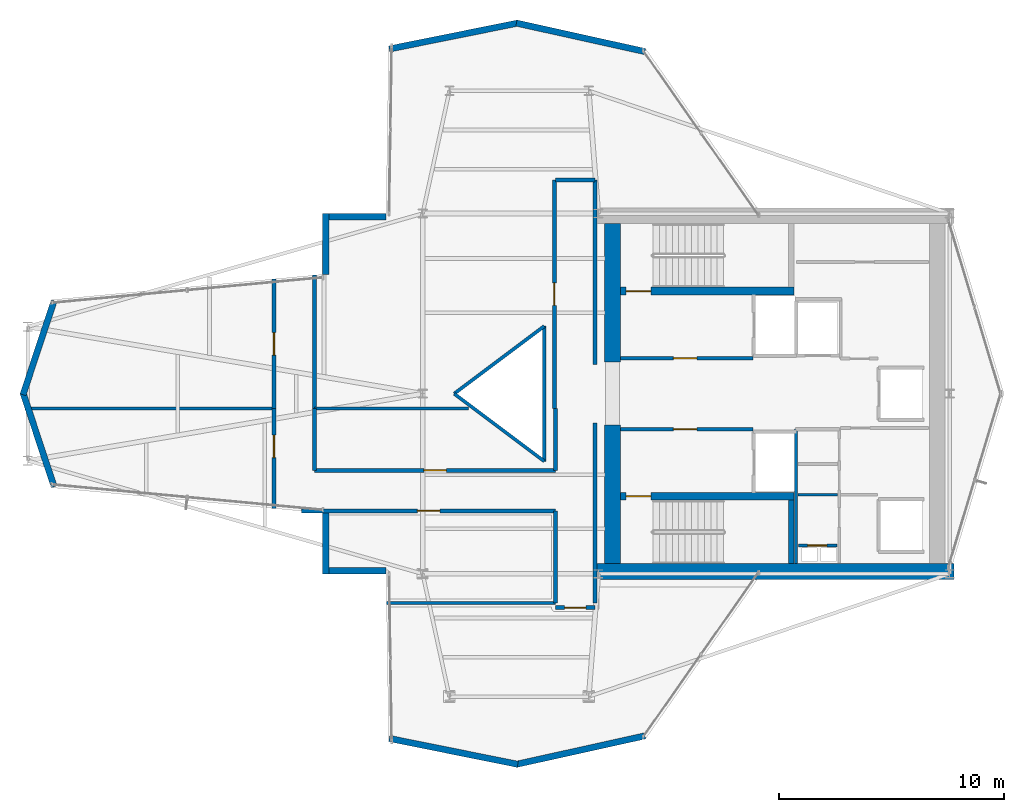
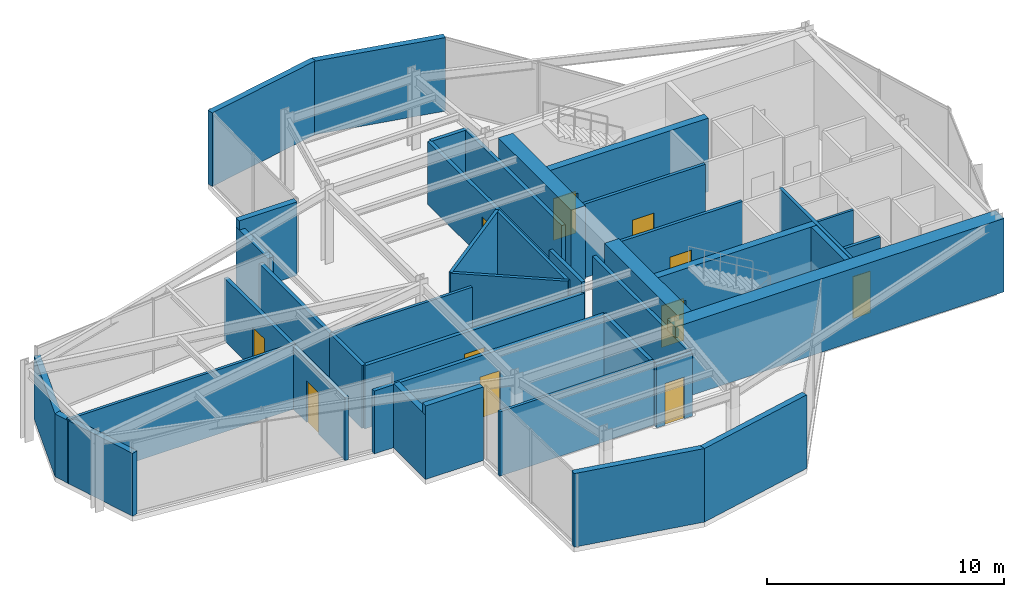
# One storey, part 21 of 24: 40 walls, 11 doors, 11 openings.
"""IFC4 building model written with IfcOpenShell, lengths in metres."""

from ifc_helpers import new_model, si_unit, direction, frame, frame_2d, origin, place, context, subcontext, project, spatial, rectangle, extrude, material, layer, layer_set, type_object, element, fill, save


model = new_model("IFC4")

# Units and contexts
model_context = context("Model", 3, precision=1e-05, world=origin(), true_north=direction((0.0, 1.0)))
body_context = subcontext(model_context, "Body", "Model", "MODEL_VIEW")
ifc_project = project(units=[si_unit("LENGTHUNIT", "METRE"), si_unit("AREAUNIT", "SQUARE_METRE"), si_unit("VOLUMEUNIT", "CUBIC_METRE"), si_unit("PLANEANGLEUNIT", "RADIAN"), si_unit("MASSUNIT", "GRAM", prefix="KILO")], contexts=[model_context])

# Site, building, storey
site_placement = place(None, origin())
site = spatial("IfcSite", under=ifc_project, at=site_placement, CompositionType="ELEMENT")
building_placement = place(site_placement, origin())
building = spatial("IfcBuilding", under=site, at=building_placement, Name="Veymaron Broadcast Tower", CompositionType="ELEMENT")
storey_placement = place(building_placement, frame((0.0, 0.0, 220.199951171875)))
storey = spatial("IfcBuildingStorey", under=building, at=storey_placement, Name="L51", CompositionType="ELEMENT", Elevation=220.199951171875)

# Walls
ifc_material_1 = material(Name="Precast concrete C40/50", Category="concrete")
ifc_layer_1 = layer(ifc_material_1, 0.280029296875)
ifc_layer_set_1 = layer_set([ifc_layer_1], Name="Precast concrete C40/50")
wall_type_1 = type_object("IfcWallType", Name="WALL-EXT-280", PredefinedType="STANDARD", material=ifc_layer_set_1)
wall_1_placement = place(storey_placement, frame((41.072021484375, 39.193359375, 0.0), z_axis=(0.0, 0.0, 1.0), x_axis=(-0.976309738065, 0.216377668346, 0.0)))
element("IfcWall", 1, at=wall_1_placement, inside=storey, type_object=wall_type_1, Name="L51 notched corner facade pier 6-1", PredefinedType="STANDARD", context=body_context, shape_type="SweptSolid", body=[
    extrude(rectangle(XDim=5.845703125, YDim=0.280029296875, at=frame_2d((2.9228515625, 0.0))), origin(), (0.0, 0.0, 1.0), 3.7900390625),
])
wall_2_placement = place(storey_placement, frame((35.422607421875, 40.457763671875, 0.0), z_axis=(0.0, 0.0, 1.0), x_axis=(-0.98030065813, -0.197511062146, 0.0)))
element("IfcWall", 2, at=wall_2_placement, inside=storey, type_object=wall_type_1, Name="L51 notched corner facade pier 7-1", PredefinedType="STANDARD", context=body_context, shape_type="SweptSolid", body=[
    extrude(rectangle(XDim=5.822021484375, YDim=0.280029296875, at=frame_2d((2.9111328125, 0.0))), origin(), (0.0, 0.0, 1.0), 3.7900390625),
])
wall_3_placement = place(storey_placement, frame((29.572509765625, 31.860107421875, 0.0), z_axis=(0.0, 0.0, 1.0), x_axis=(-1.0, 0.0, 0.0)))
element("IfcWall", 3, at=wall_3_placement, inside=storey, type_object=wall_type_1, Name="L51 notched corner facade pier 9-1", PredefinedType="STANDARD", context=body_context, shape_type="SweptSolid", body=[
    extrude(rectangle(XDim=2.8125, YDim=0.280029296875, at=frame_2d((1.40625, 0.0))), origin(), (0.0, 0.0, 1.0), 3.7900390625),
])
wall_4_placement = place(storey_placement, frame((26.89990234375, 32.0, 0.0), z_axis=(0.0, 0.0, 1.0), x_axis=(0.0, -1.0, 0.0)))
element("IfcWall", 4, at=wall_4_placement, inside=storey, type_object=wall_type_1, Name="L51 notched corner facade pier 10-1", PredefinedType="STANDARD", context=body_context, shape_type="SweptSolid", body=[
    extrude(rectangle(XDim=2.69970703125, YDim=0.280029296875, at=frame_2d((1.349853515625, 0.0))), origin(), (0.0, 0.0, 1.0), 3.319091796875),
])
for number, where, z_axis, x_axis, name in (
    (5, (14.8330078125, 28.126708984375, 0.0), (0.0, 0.0, 1.0), (-0.314159663404, -0.949370162734, 0.0), "L51 notched corner facade pier 12-1"),
    (6, (13.452880859375, 24.0439453125, 0.0), (0.0, 0.0, 1.0), (0.314159663404, -0.949370162734, 0.0), "L51 notched corner facade pier 13-1"),
):
    element("IfcWall", number, at=place(storey_placement, frame(where, z_axis=z_axis, x_axis=x_axis)), inside=storey, type_object=wall_type_1, Name=name, PredefinedType="STANDARD", context=body_context, shape_type="SweptSolid", body=[
        extrude(rectangle(XDim=4.39306640625, YDim=0.280029296875, at=frame_2d((2.196533203125, 0.0))), origin(), (0.0, 0.0, 1.0), 3.240966796875),
    ])
wall_5_placement = place(storey_placement, frame((26.89990234375, 18.69970703125, 0.0), z_axis=(0.0, 0.0, 1.0), x_axis=(0.0, -1.0, 0.0)))
element("IfcWall", 7, at=wall_5_placement, inside=storey, type_object=wall_type_1, Name="L51 notched corner facade pier 15-1", PredefinedType="STANDARD", context=body_context, shape_type="SweptSolid", body=[
    extrude(rectangle(XDim=2.69970703125, YDim=0.280029296875, at=frame_2d((1.349853515625, 0.0))), origin(), (0.0, 0.0, 1.0), 3.319091796875),
])
wall_6_placement = place(storey_placement, frame((26.760009765625, 16.139892578125, 0.0), z_axis=(0.0, 0.0, 1.0), x_axis=(1.0, 0.0, 0.0)))
element("IfcWall", 8, at=wall_6_placement, inside=storey, type_object=wall_type_1, Name="L51 notched corner facade pier 16-1", PredefinedType="STANDARD", context=body_context, shape_type="SweptSolid", body=[
    extrude(rectangle(XDim=2.8125, YDim=0.280029296875, at=frame_2d((1.40625, 0.0))), origin(), (0.0, 0.0, 1.0), 3.7900390625),
])
wall_7_placement = place(storey_placement, frame((29.71533203125, 8.692138671875, 0.0), z_axis=(0.0, 0.0, 1.0), x_axis=(0.98030065813, -0.197511062146, 0.0)))
element("IfcWall", 9, at=wall_7_placement, inside=storey, type_object=wall_type_1, Name="L51 notched corner facade pier 18-1", PredefinedType="STANDARD", context=body_context, shape_type="SweptSolid", body=[
    extrude(rectangle(XDim=5.822021484375, YDim=0.280029296875, at=frame_2d((2.9111328125, 0.0))), origin(), (0.0, 0.0, 1.0), 3.7900390625),
])
wall_8_placement = place(storey_placement, frame((35.36474609375, 7.541748046875, 0.0), z_axis=(0.0, 0.0, 1.0), x_axis=(0.976309738065, 0.216377668346, 0.0)))
element("IfcWall", 10, at=wall_8_placement, inside=storey, type_object=wall_type_1, Name="L51 notched corner facade pier 19-1", PredefinedType="STANDARD", context=body_context, shape_type="SweptSolid", body=[
    extrude(rectangle(XDim=5.845703125, YDim=0.280029296875, at=frame_2d((2.9228515625, 0.0))), origin(), (0.0, 0.0, 1.0), 3.7900390625),
])

# Wall, opening, door
ifc_material_2 = material(Name="Gypsum fireboard and steel stud framing", Category="steel")
ifc_layer_2 = layer(ifc_material_2, 0.14990234375)
ifc_layer_set_2 = layer_set([ifc_layer_2], Name="Gypsum fireboard and steel stud framing")
wall_type_2 = type_object("IfcWallType", Name="WALL-FIRE-150", PredefinedType="PARTITIONING", material=ifc_layer_set_2)
wall_9_placement = place(storey_placement, frame((39.97998046875, 25.574951171875, 0.0), z_axis=(0.0, 0.0, 1.0), x_axis=(1.0, 0.0, 0.0)))
wall_9 = element("IfcWall", 11, at=wall_9_placement, inside=storey, type_object=wall_type_2, Name="L51 partition IW-L51-FFLN-S", PredefinedType="PARTITIONING", context=body_context, shape_type="SweptSolid", body=[
    extrude(rectangle(XDim=5.89990234375, YDim=0.14990234375, at=frame_2d((2.949951171875, 0.0))), origin(), (0.0, 0.0, 1.0), 3.7900390625),
])
opening_1_placement = place(wall_9_placement, frame((2.35009765625, 0.0, 0.0)))
opening_1 = element("IfcOpeningElement", 12, at=opening_1_placement, cuts=wall_9, Name="Opening ID-FL1", PredefinedType="OPENING", context=body_context, shape_type="SweptSolid", body=[
    extrude(rectangle(XDim=1.050048828125, YDim=2.14990234375, at=frame_2d((0.52490234375, 1.074951171875))), frame((0.0, 0.0849609375, 0.0), z_axis=(0.0, -1.0, 0.0), x_axis=(1.0, 0.0, 0.0)), (0.0, 0.0, 1.0), 0.169921875),
])
ifc_material_3 = material(Name="Fire-rated painted hollow steel ASTM A653", Category="steel")
door_type_1 = type_object("IfcDoorType", Name="DOOR-FIRE-1050", OperationType="NOTDEFINED", PredefinedType="DOOR", material=ifc_material_3)
door_1_placement = place(opening_1_placement, origin())
door_1 = element("IfcDoor", 13, at=door_1_placement, inside=storey, type_object=door_type_1, Name="L51 door DR-L51-FFLN", OperationType="SINGLE_SWING_LEFT", OverallHeight=2.14990234375, OverallWidth=1.050048828125, PredefinedType="DOOR", context=body_context, shape_type="SweptSolid", body=[
    extrude(rectangle(XDim=1.050048828125, YDim=2.14990234375, at=frame_2d((0.52490234375, 1.074951171875))), frame((0.0, 0.02490234375, 0.0), z_axis=(0.0, -1.0, 0.0), x_axis=(1.0, 0.0, 0.0)), (0.0, 0.0, 1.0), 0.050048828125),
])
fill(opening_1, door_1)

wall_10_placement = place(storey_placement, frame((39.97998046875, 22.425048828125, 0.0), z_axis=(0.0, 0.0, 1.0), x_axis=(1.0, 0.0, 0.0)))
wall_10 = element("IfcWall", 14, at=wall_10_placement, inside=storey, type_object=wall_type_2, Name="L51 partition IW-L51-FFLS-N", PredefinedType="PARTITIONING", context=body_context, shape_type="SweptSolid", body=[
    extrude(rectangle(XDim=5.89990234375, YDim=0.14990234375, at=frame_2d((2.949951171875, 0.0))), origin(), (0.0, 0.0, 1.0), 3.7900390625),
])
opening_2_placement = place(wall_10_placement, frame((2.35009765625, 0.0, 0.0)))
opening_2 = element("IfcOpeningElement", 15, at=opening_2_placement, cuts=wall_10, Name="Opening ID-FL1", PredefinedType="OPENING", context=body_context, shape_type="SweptSolid", body=[
    extrude(rectangle(XDim=1.050048828125, YDim=2.14990234375, at=frame_2d((0.52490234375, 1.074951171875))), frame((0.0, 0.0849609375, 0.0), z_axis=(0.0, -1.0, 0.0), x_axis=(1.0, 0.0, 0.0)), (0.0, 0.0, 1.0), 0.169921875),
])
door_2_placement = place(opening_2_placement, frame((1.050048828125, 0.0, 0.0), z_axis=(0.0, 0.0, 1.0), x_axis=(-1.0, 0.0, 0.0)))
door_2 = element("IfcDoor", 16, at=door_2_placement, inside=storey, type_object=door_type_1, Name="L51 door DR-L51-FFLS", OperationType="SINGLE_SWING_RIGHT", OverallHeight=2.14990234375, OverallWidth=1.050048828125, PredefinedType="DOOR", context=body_context, shape_type="SweptSolid", body=[
    extrude(rectangle(XDim=1.050048828125, YDim=2.14990234375, at=frame_2d((0.52490234375, 1.074951171875))), frame((0.0, 0.02490234375, 0.0), z_axis=(0.0, -1.0, 0.0), x_axis=(1.0, 0.0, 0.0)), (0.0, 0.0, 1.0), 0.050048828125),
])
fill(opening_2, door_2)

wall_11_placement = place(storey_placement, frame((47.8798828125, 17.260009765625, 0.0), z_axis=(0.0, 0.0, 1.0), x_axis=(1.0, 0.0, 0.0)))
wall_11 = element("IfcWall", 17, at=wall_11_placement, inside=storey, type_object=wall_type_2, Name="L51 partition IW-L51-RIS-N", PredefinedType="PARTITIONING", context=body_context, shape_type="SweptSolid", body=[
    extrude(rectangle(XDim=1.72021484375, YDim=0.14990234375, at=frame_2d((0.860107421875, 0.0))), origin(), (0.0, 0.0, 1.0), 3.7900390625),
])
opening_3_placement = place(wall_11_placement, frame((0.419921875, 0.0, 0.0)))
opening_3 = element("IfcOpeningElement", 18, at=opening_3_placement, cuts=wall_11, Name="Opening ID-RS1", PredefinedType="OPENING", context=body_context, shape_type="SweptSolid", body=[
    extrude(rectangle(XDim=0.85009765625, YDim=2.14990234375, at=frame_2d((0.425048828125, 1.074951171875))), frame((0.0, 0.0849609375, 0.0), z_axis=(0.0, -1.0, 0.0), x_axis=(1.0, 0.0, 0.0)), (0.0, 0.0, 1.0), 0.169921875),
])
ifc_material_4 = material(Name="Fire-rated powder-coated steel riser leaf", Category="steel")
door_type_2 = type_object("IfcDoorType", Name="DOOR-RIS-850", OperationType="NOTDEFINED", PredefinedType="TRAPDOOR", material=ifc_material_4)
door_3_placement = place(opening_3_placement, origin())
door_3 = element("IfcDoor", 19, at=door_3_placement, inside=storey, type_object=door_type_2, Name="L51 door DR-L51-RIS", OperationType="SINGLE_SWING_LEFT", OverallHeight=2.14990234375, OverallWidth=0.85009765625, PredefinedType="TRAPDOOR", context=body_context, shape_type="SweptSolid", body=[
    extrude(rectangle(XDim=0.85009765625, YDim=2.14990234375, at=frame_2d((0.425048828125, 1.074951171875))), frame((0.0, 0.02490234375, 0.0), z_axis=(0.0, -1.0, 0.0), x_axis=(1.0, 0.0, 0.0)), (0.0, 0.0, 1.0), 0.050048828125),
])
fill(opening_3, door_3)

# Wall
wall_12_placement = place(storey_placement, frame((47.780029296875, 16.449951171875, 0.0), z_axis=(0.0, 0.0, 1.0), x_axis=(0.0, 1.0, 0.0)))
element("IfcWall", 20, at=wall_12_placement, inside=storey, type_object=wall_type_2, Name="L51 partition IW-L51-SM-W", PredefinedType="PARTITIONING", context=body_context, shape_type="SweptSolid", body=[
    extrude(rectangle(XDim=5.97509765625, YDim=0.14990234375, at=frame_2d((2.987548828125, 0.0))), origin(), (0.0, 0.0, 1.0), 3.7900390625),
])

# Wall, opening, door
ifc_material_5 = material(Name="Concrete C40/50", Category="concrete")
ifc_layer_3 = layer(ifc_material_5, 0.179931640625)
ifc_layer_set_3 = layer_set([ifc_layer_3], Name="Concrete C40/50")
wall_type_3 = type_object("IfcWallType", Name="WALL-FIRE-180", PredefinedType="SOLIDWALL", material=ifc_layer_set_3)
wall_13_placement = place(storey_placement, frame((37.10009765625, 14.5, 0.0), z_axis=(0.0, 0.0, 1.0), x_axis=(1.0, 0.0, 0.0)))
wall_13 = element("IfcWall", 21, at=wall_13_placement, inside=storey, type_object=wall_type_3, Name="L51 partition IW-L51-P02", PredefinedType="SOLIDWALL", context=body_context, shape_type="SweptSolid", body=[
    extrude(rectangle(XDim=1.75, YDim=0.179931640625, at=frame_2d((0.875, 0.0))), origin(), (0.0, 0.0, 1.0), 3.240966796875),
])
opening_4_placement = place(wall_13_placement, frame((0.39990234375, 0.0, 0.0)))
opening_4 = element("IfcOpeningElement", 22, at=opening_4_placement, cuts=wall_13, Name="Opening ID-RM1", PredefinedType="OPENING", context=body_context, shape_type="SweptSolid", body=[
    extrude(rectangle(XDim=0.949951171875, YDim=2.14990234375, at=frame_2d((0.47509765625, 1.074951171875))), frame((0.0, 0.10009765625, 0.0), z_axis=(0.0, -1.0, 0.0), x_axis=(1.0, 0.0, 0.0)), (0.0, 0.0, 1.0), 0.199951171875),
])
ifc_material_6 = material(Name="Acoustic solid-core European oak veneer timber", Category="wood")
door_type_3 = type_object("IfcDoorType", Name="DOOR-INT-950", OperationType="NOTDEFINED", PredefinedType="DOOR", material=ifc_material_6)
door_4_placement = place(opening_4_placement, frame((0.949951171875, 0.0, 0.0), z_axis=(0.0, 0.0, 1.0), x_axis=(-1.0, 0.0, 0.0)))
door_4 = element("IfcDoor", 23, at=door_4_placement, inside=storey, type_object=door_type_3, Name="L51 door DR-L51-P02", OperationType="SINGLE_SWING_LEFT", OverallHeight=2.14990234375, OverallWidth=0.949951171875, PredefinedType="DOOR", context=body_context, shape_type="SweptSolid", body=[
    extrude(rectangle(XDim=0.949951171875, YDim=2.14990234375, at=frame_2d((0.47509765625, 1.074951171875))), frame((0.0, 0.02490234375, 0.0), z_axis=(0.0, -1.0, 0.0), x_axis=(1.0, 0.0, 0.0)), (0.0, 0.0, 1.0), 0.050048828125),
])
fill(opening_4, door_4)

wall_14_placement = place(storey_placement, frame((25.828125, 18.800048828125, 0.0), z_axis=(0.0, 0.0, 1.0), x_axis=(1.0, 0.0, 0.0)))
wall_14 = element("IfcWall", 24, at=wall_14_placement, inside=storey, type_object=wall_type_3, Name="L51 partition IW-L51-P03", PredefinedType="SOLIDWALL", context=body_context, shape_type="SweptSolid", body=[
    extrude(rectangle(XDim=11.27197265625, YDim=0.179931640625, at=frame_2d((5.635986328125, 0.0))), origin(), (0.0, 0.0, 1.0), 3.240966796875),
])
opening_5_placement = place(wall_14_placement, frame((5.135986328125, 0.0, 0.0)))
opening_5 = element("IfcOpeningElement", 25, at=opening_5_placement, cuts=wall_14, Name="Opening ID-RM3", PredefinedType="OPENING", context=body_context, shape_type="SweptSolid", body=[
    extrude(rectangle(XDim=1.0, YDim=2.14990234375, at=frame_2d((0.5, 1.074951171875))), frame((0.0, 0.10009765625, 0.0), z_axis=(0.0, -1.0, 0.0), x_axis=(1.0, 0.0, 0.0)), (0.0, 0.0, 1.0), 0.199951171875),
])
door_type_4 = type_object("IfcDoorType", Name="DOOR-INT-1000", OperationType="NOTDEFINED", PredefinedType="DOOR", material=ifc_material_6)
door_5_placement = place(opening_5_placement, frame((1.0, 0.0, 0.0), z_axis=(0.0, 0.0, 1.0), x_axis=(-1.0, 0.0, 0.0)))
door_5 = element("IfcDoor", 26, at=door_5_placement, inside=storey, type_object=door_type_4, Name="L51 door DR-L51-P03", OperationType="SINGLE_SWING_RIGHT", OverallHeight=2.14990234375, OverallWidth=1.0, PredefinedType="DOOR", context=body_context, shape_type="SweptSolid", body=[
    extrude(rectangle(XDim=1.0, YDim=2.14990234375, at=frame_2d((0.5, 1.074951171875))), frame((0.0, 0.02490234375, 0.0), z_axis=(0.0, -1.0, 0.0), x_axis=(1.0, 0.0, 0.0)), (0.0, 0.0, 1.0), 0.050048828125),
])
fill(opening_5, door_5)

wall_15_placement = place(storey_placement, frame((24.60009765625, 18.90185546875, 0.0), z_axis=(0.0, 0.0, 1.0), x_axis=(0.0, 1.0, 0.0)))
wall_15 = element("IfcWall", 27, at=wall_15_placement, inside=storey, type_object=wall_type_3, Name="L51 partition IW-L51-P05", PredefinedType="SOLIDWALL", context=body_context, shape_type="SweptSolid", body=[
    extrude(rectangle(XDim=4.43408203125, YDim=0.179931640625, at=frame_2d((2.217041015625, 0.0))), origin(), (0.0, 0.0, 1.0), 3.240966796875),
])
opening_6_placement = place(wall_15_placement, frame((2.257080078125, 0.0, 0.0)))
opening_6 = element("IfcOpeningElement", 28, at=opening_6_placement, cuts=wall_15, Name="Opening ID-RM3", PredefinedType="OPENING", context=body_context, shape_type="SweptSolid", body=[
    extrude(rectangle(XDim=1.0, YDim=2.14990234375, at=frame_2d((0.5, 1.074951171875))), frame((0.0, 0.10009765625, 0.0), z_axis=(0.0, -1.0, 0.0), x_axis=(1.0, 0.0, 0.0)), (0.0, 0.0, 1.0), 0.199951171875),
])
door_6_placement = place(opening_6_placement, origin())
door_6 = element("IfcDoor", 29, at=door_6_placement, inside=storey, type_object=door_type_4, Name="L51 door DR-L51-P05", OperationType="SINGLE_SWING_RIGHT", OverallHeight=2.14990234375, OverallWidth=1.0, PredefinedType="DOOR", context=body_context, shape_type="SweptSolid", body=[
    extrude(rectangle(XDim=1.0, YDim=2.14990234375, at=frame_2d((0.5, 1.074951171875))), frame((0.0, 0.02490234375, 0.0), z_axis=(0.0, -1.0, 0.0), x_axis=(1.0, 0.0, 0.0)), (0.0, 0.0, 1.0), 0.050048828125),
])
fill(opening_6, door_6)

wall_16_placement = place(storey_placement, frame((26.39990234375, 20.60009765625, 0.0), z_axis=(0.0, 0.0, 1.0), x_axis=(1.0, 0.0, 0.0)))
wall_16 = element("IfcWall", 30, at=wall_16_placement, inside=storey, type_object=wall_type_3, Name="L51 partition IW-L51-P06", PredefinedType="SOLIDWALL", context=body_context, shape_type="SweptSolid", body=[
    extrude(rectangle(XDim=10.7001953125, YDim=0.179931640625, at=frame_2d((5.35009765625, 0.0))), origin(), (0.0, 0.0, 1.0), 3.240966796875),
])
opening_7_placement = place(wall_16_placement, frame((4.85009765625, 0.0, 0.0)))
opening_7 = element("IfcOpeningElement", 31, at=opening_7_placement, cuts=wall_16, Name="Opening ID-RM3", PredefinedType="OPENING", context=body_context, shape_type="SweptSolid", body=[
    extrude(rectangle(XDim=1.0, YDim=2.14990234375, at=frame_2d((0.5, 1.074951171875))), frame((0.0, 0.10009765625, 0.0), z_axis=(0.0, -1.0, 0.0), x_axis=(1.0, 0.0, 0.0)), (0.0, 0.0, 1.0), 0.199951171875),
])
door_7_placement = place(opening_7_placement, origin())
door_7 = element("IfcDoor", 32, at=door_7_placement, inside=storey, type_object=door_type_4, Name="L51 door DR-L51-P06", OperationType="SINGLE_SWING_LEFT", OverallHeight=2.14990234375, OverallWidth=1.0, PredefinedType="DOOR", context=body_context, shape_type="SweptSolid", body=[
    extrude(rectangle(XDim=1.0, YDim=2.14990234375, at=frame_2d((0.5, 1.074951171875))), frame((0.0, 0.02490234375, 0.0), z_axis=(0.0, -1.0, 0.0), x_axis=(1.0, 0.0, 0.0)), (0.0, 0.0, 1.0), 0.050048828125),
])
fill(opening_7, door_7)

wall_17_placement = place(storey_placement, frame((24.60009765625, 23.3359375, 0.0), z_axis=(0.0, 0.0, 1.0), x_axis=(0.0, 1.0, 0.0)))
wall_17 = element("IfcWall", 33, at=wall_17_placement, inside=storey, type_object=wall_type_3, Name="L51 partition IW-L51-P09", PredefinedType="SOLIDWALL", context=body_context, shape_type="SweptSolid", body=[
    extrude(rectangle(XDim=5.76220703125, YDim=0.179931640625, at=frame_2d((2.881103515625, 0.0))), origin(), (0.0, 0.0, 1.0), 3.240966796875),
])
opening_8_placement = place(wall_17_placement, frame((2.381103515625, 0.0, 0.0)))
opening_8 = element("IfcOpeningElement", 34, at=opening_8_placement, cuts=wall_17, Name="Opening ID-RM3", PredefinedType="OPENING", context=body_context, shape_type="SweptSolid", body=[
    extrude(rectangle(XDim=1.0, YDim=2.14990234375, at=frame_2d((0.5, 1.074951171875))), frame((0.0, 0.10009765625, 0.0), z_axis=(0.0, -1.0, 0.0), x_axis=(1.0, 0.0, 0.0)), (0.0, 0.0, 1.0), 0.199951171875),
])
door_8_placement = place(opening_8_placement, origin())
door_8 = element("IfcDoor", 35, at=door_8_placement, inside=storey, type_object=door_type_4, Name="L51 door DR-L51-P09", OperationType="SINGLE_SWING_RIGHT", OverallHeight=2.14990234375, OverallWidth=1.0, PredefinedType="DOOR", context=body_context, shape_type="SweptSolid", body=[
    extrude(rectangle(XDim=1.0, YDim=2.14990234375, at=frame_2d((0.5, 1.074951171875))), frame((0.0, 0.02490234375, 0.0), z_axis=(0.0, -1.0, 0.0), x_axis=(1.0, 0.0, 0.0)), (0.0, 0.0, 1.0), 0.050048828125),
])
fill(opening_8, door_8)

wall_18_placement = place(storey_placement, frame((37.050048828125, 23.3359375, 0.0), z_axis=(0.0, 0.0, 1.0), x_axis=(0.0, 1.0, 0.0)))
wall_18 = element("IfcWall", 36, at=wall_18_placement, inside=storey, type_object=wall_type_3, Name="L51 partition IW-L51-P10", PredefinedType="SOLIDWALL", context=body_context, shape_type="SweptSolid", body=[
    extrude(rectangle(XDim=10.1640625, YDim=0.179931640625, at=frame_2d((5.08203125, 0.0))), origin(), (0.0, 0.0, 1.0), 3.240966796875),
])
opening_9_placement = place(wall_18_placement, frame((4.58203125, 0.0, 0.0)))
opening_9 = element("IfcOpeningElement", 37, at=opening_9_placement, cuts=wall_18, Name="Opening ID-RM3", PredefinedType="OPENING", context=body_context, shape_type="SweptSolid", body=[
    extrude(rectangle(XDim=1.0, YDim=2.14990234375, at=frame_2d((0.5, 1.074951171875))), frame((0.0, 0.10009765625, 0.0), z_axis=(0.0, -1.0, 0.0), x_axis=(1.0, 0.0, 0.0)), (0.0, 0.0, 1.0), 0.199951171875),
])
door_9_placement = place(opening_9_placement, origin())
door_9 = element("IfcDoor", 38, at=door_9_placement, inside=storey, type_object=door_type_4, Name="L51 door DR-L51-P10", OperationType="SINGLE_SWING_LEFT", OverallHeight=2.14990234375, OverallWidth=1.0, PredefinedType="DOOR", context=body_context, shape_type="SweptSolid", body=[
    extrude(rectangle(XDim=1.0, YDim=2.14990234375, at=frame_2d((0.5, 1.074951171875))), frame((0.0, 0.02490234375, 0.0), z_axis=(0.0, -1.0, 0.0), x_axis=(1.0, 0.0, 0.0)), (0.0, 0.0, 1.0), 0.050048828125),
])
fill(opening_9, door_9)

# Walls
wall_19_placement = place(storey_placement, frame((38.85009765625, 14.70703125, 0.0), z_axis=(0.0, 0.0, 1.0), x_axis=(0.0, 1.0, 0.0)))
element("IfcWall", 39, at=wall_19_placement, inside=storey, type_object=wall_type_3, Name="L51 partition IW-L51-P01", PredefinedType="SOLIDWALL", context=body_context, shape_type="SweptSolid", body=[
    extrude(rectangle(XDim=7.992919921875, YDim=0.179931640625, at=frame_2d((3.99658203125, 0.0))), origin(), (0.0, 0.0, 1.0), 3.240966796875),
])
wall_20_placement = place(storey_placement, frame((37.10009765625, 14.70703125, 0.0), z_axis=(0.0, 0.0, 1.0), x_axis=(0.0, 1.0, 0.0)))
element("IfcWall", 40, at=wall_20_placement, inside=storey, type_object=wall_type_3, Name="L51 partition IW-L51-P04", PredefinedType="SOLIDWALL", context=body_context, shape_type="SweptSolid", body=[
    extrude(rectangle(XDim=4.093017578125, YDim=0.179931640625, at=frame_2d((2.04638671875, 0.0))), origin(), (0.0, 0.0, 1.0), 3.240966796875),
])
wall_21_placement = place(storey_placement, frame((26.39990234375, 20.60009765625, 0.0), z_axis=(0.0, 0.0, 1.0), x_axis=(0.0, 1.0, 0.0)))
element("IfcWall", 41, at=wall_21_placement, inside=storey, type_object=wall_type_3, Name="L51 partition IW-L51-P07", PredefinedType="SOLIDWALL", context=body_context, shape_type="SweptSolid", body=[
    extrude(rectangle(XDim=2.73583984375, YDim=0.179931640625, at=frame_2d((1.367919921875, 0.0))), origin(), (0.0, 0.0, 1.0), 3.240966796875),
])
wall_22_placement = place(storey_placement, frame((37.10009765625, 20.60009765625, 0.0), z_axis=(0.0, 0.0, 1.0), x_axis=(0.0, 1.0, 0.0)))
element("IfcWall", 42, at=wall_22_placement, inside=storey, type_object=wall_type_3, Name="L51 partition IW-L51-P08", PredefinedType="SOLIDWALL", context=body_context, shape_type="SweptSolid", body=[
    extrude(rectangle(XDim=2.73583984375, YDim=0.179931640625, at=frame_2d((1.367919921875, 0.0))), origin(), (0.0, 0.0, 1.0), 3.7900390625),
])
wall_23_placement = place(storey_placement, frame((38.85009765625, 25.300048828125, 0.0), z_axis=(0.0, 0.0, 1.0), x_axis=(0.0, 1.0, 0.0)))
element("IfcWall", 43, at=wall_23_placement, inside=storey, type_object=wall_type_3, Name="L51 partition IW-L51-P11", PredefinedType="SOLIDWALL", context=body_context, shape_type="SweptSolid", body=[
    extrude(rectangle(XDim=8.199951171875, YDim=0.179931640625, at=frame_2d((4.10009765625, 0.0))), origin(), (0.0, 0.0, 1.0), 3.240966796875),
])
wall_24_placement = place(storey_placement, frame((26.39990234375, 23.3359375, 0.0), z_axis=(0.0, 0.0, 1.0), x_axis=(0.0, 1.0, 0.0)))
element("IfcWall", 44, at=wall_24_placement, inside=storey, type_object=wall_type_3, Name="L51 partition IW-L51-P12", PredefinedType="SOLIDWALL", context=body_context, shape_type="SweptSolid", body=[
    extrude(rectangle(XDim=5.9306640625, YDim=0.179931640625, at=frame_2d((2.96533203125, 0.0))), origin(), (0.0, 0.0, 1.0), 3.240966796875),
])
wall_25_placement = place(storey_placement, frame((37.10009765625, 33.5, 0.0), z_axis=(0.0, 0.0, 1.0), x_axis=(1.0, 0.0, 0.0)))
element("IfcWall", 45, at=wall_25_placement, inside=storey, type_object=wall_type_3, Name="L51 partition IW-L51-P13", PredefinedType="SOLIDWALL", context=body_context, shape_type="SweptSolid", body=[
    extrude(rectangle(XDim=1.75, YDim=0.179931640625, at=frame_2d((0.875, 0.0))), origin(), (0.0, 0.0, 1.0), 3.240966796875),
])
ifc_material_7 = material(Name="Fire-rated laminated glass in aluminium frame", Category="aluminium")
ifc_layer_4 = layer(ifc_material_7, 0.14990234375)
ifc_layer_set_4 = layer_set([ifc_layer_4], Name="Fire-rated laminated glass in aluminium frame")
wall_type_4 = type_object("IfcWallType", Name="WALL-GLZ-150", PredefinedType="MOVABLE", material=ifc_layer_set_4)
wall_26_placement = place(storey_placement, frame((32.60009765625, 24.0, 0.0), z_axis=(0.0, 0.0, 1.0), x_axis=(0.8, -0.6, 0.0)))
element("IfcWall", 46, at=wall_26_placement, inside=storey, type_object=wall_type_4, Name="L51 partition IW-L51-ATR1", PredefinedType="MOVABLE", context=body_context, shape_type="SweptSolid", body=[
    extrude(rectangle(XDim=5.0, YDim=0.14990234375, at=frame_2d((2.5, 0.0))), origin(), (0.0, 0.0, 1.0), 3.7900390625),
])
wall_27_placement = place(storey_placement, frame((36.60009765625, 21.0, 0.0), z_axis=(0.0, 0.0, 1.0), x_axis=(0.0, 1.0, 0.0)))
element("IfcWall", 47, at=wall_27_placement, inside=storey, type_object=wall_type_4, Name="L51 partition IW-L51-ATR2", PredefinedType="MOVABLE", context=body_context, shape_type="SweptSolid", body=[
    extrude(rectangle(XDim=6.0, YDim=0.14990234375, at=frame_2d((3.0, 0.0))), origin(), (0.0, 0.0, 1.0), 3.7900390625),
])
wall_28_placement = place(storey_placement, frame((36.60009765625, 27.0, 0.0), z_axis=(0.0, 0.0, 1.0), x_axis=(-0.8, -0.6, 0.0)))
element("IfcWall", 48, at=wall_28_placement, inside=storey, type_object=wall_type_4, Name="L51 partition IW-L51-ATR3", PredefinedType="MOVABLE", context=body_context, shape_type="SweptSolid", body=[
    extrude(rectangle(XDim=5.0, YDim=0.14990234375, at=frame_2d((2.5, 0.0))), origin(), (0.0, 0.0, 1.0), 3.7900390625),
])
ifc_material_8 = material(Name="Acoustic gypsum board and galvanized stud", Category="gypsum")
ifc_layer_5 = layer(ifc_material_8, 0.1201171875)
ifc_layer_set_5 = layer_set([ifc_layer_5], Name="Acoustic gypsum board and galvanized stud")
wall_type_5 = type_object("IfcWallType", Name="WALL-PART-120", PredefinedType="PARTITIONING", material=ifc_layer_set_5)
wall_29_placement = place(storey_placement, frame((47.860107421875, 19.52001953125, 0.0), z_axis=(0.0, 0.0, 1.0), x_axis=(1.0, 0.0, 0.0)))
element("IfcWall", 49, at=wall_29_placement, inside=storey, type_object=wall_type_5, Name="L51 partition IW-L51-SM-D1", PredefinedType="PARTITIONING", context=body_context, shape_type="SweptSolid", body=[
    extrude(rectangle(XDim=1.760009765625, YDim=0.1201171875, at=frame_2d((0.8798828125, 0.0))), origin(), (0.0, 0.0, 1.0), 3.7900390625),
])
ifc_material_9 = material(Name="Double-layer acoustic gypsum and stud", Category="gypsum")
ifc_layer_6 = layer(ifc_material_9, 0.135009765625)
ifc_layer_set_6 = layer_set([ifc_layer_6], Name="Double-layer acoustic gypsum and stud")
wall_type_6 = type_object("IfcWallType", Name="WALL-PART-135", PredefinedType="PARTITIONING", material=ifc_layer_set_6)
wall_30_placement = place(storey_placement, frame((29.59228515625, 14.70703125, 0.0), z_axis=(0.0, 0.0, 1.0), x_axis=(1.0, 0.0, 0.0)))
element("IfcWall", 50, at=wall_30_placement, inside=storey, type_object=wall_type_6, Name="L51 partition IW-L51-P14", PredefinedType="PARTITIONING", context=body_context, shape_type="SweptSolid", body=[
    extrude(rectangle(XDim=7.5078125, YDim=0.135009765625, at=frame_2d((3.75390625, 0.0))), origin(), (0.0, 0.0, 1.0), 3.319091796875),
])
wall_31_placement = place(storey_placement, frame((13.539794921875, 23.3359375, 0.0), z_axis=(0.0, 0.0, 1.0), x_axis=(1.0, 0.0, 0.0)))
element("IfcWall", 51, at=wall_31_placement, inside=storey, type_object=wall_type_6, Name="L51 partition IW-L51-P15", PredefinedType="PARTITIONING", context=body_context, shape_type="SweptSolid", body=[
    extrude(rectangle(XDim=11.060302734375, YDim=0.135009765625, at=frame_2d((5.5302734375, 0.0))), origin(), (0.0, 0.0, 1.0), 3.319091796875),
])
wall_32_placement = place(storey_placement, frame((26.39990234375, 23.3359375, 0.0), z_axis=(0.0, 0.0, 1.0), x_axis=(1.0, 0.0, 0.0)))
element("IfcWall", 52, at=wall_32_placement, inside=storey, type_object=wall_type_6, Name="L51 partition IW-L51-P16", PredefinedType="PARTITIONING", context=body_context, shape_type="SweptSolid", body=[
    extrude(rectangle(XDim=6.83544921875, YDim=0.135009765625, at=frame_2d((3.417724609375, 0.0))), origin(), (0.0, 0.0, 1.0), 3.240966796875),
])
ifc_material_10 = material(Name="Concrete C50/60", Category="concrete")
ifc_layer_7 = layer(ifc_material_10, 0.25)
ifc_layer_set_7 = layer_set([ifc_layer_7], Name="Concrete C50/60")
wall_type_7 = type_object("IfcWallType", Name="WALL-SHEAR-250", PredefinedType="SHEAR", material=ifc_layer_set_7)
wall_33_placement = place(storey_placement, frame((47.56494140625, 16.449951171875, 0.0), z_axis=(0.0, 0.0, 1.0), x_axis=(0.0, 1.0, 0.0)))
element("IfcWall", 53, at=wall_33_placement, inside=storey, type_object=wall_type_7, Name="L51 Core Wall south stair east shear", PredefinedType="SHEAR", context=body_context, shape_type="SweptSolid", body=[
    extrude(rectangle(XDim=2.820068359375, YDim=0.25, at=frame_2d((1.41015625, 0.0))), origin(), (0.0, 0.0, 1.0), 3.7900390625),
])

# Wall, opening, door
ifc_layer_8 = layer(ifc_material_10, 0.35009765625)
ifc_layer_set_8 = layer_set([ifc_layer_8], Name="Concrete C50/60")
wall_type_8 = type_object("IfcWallType", Name="WALL-SHEAR-350", PredefinedType="SHEAR", material=ifc_layer_set_8)
wall_34_placement = place(storey_placement, frame((39.97998046875, 28.554931640625, 0.0), z_axis=(0.0, 0.0, 1.0), x_axis=(1.0, 0.0, 0.0)))
wall_34 = element("IfcWall", 54, at=wall_34_placement, inside=storey, type_object=wall_type_8, Name="L51 Core Wall north stair spine", PredefinedType="SHEAR", context=body_context, shape_type="SweptSolid", body=[
    extrude(rectangle(XDim=7.7099609375, YDim=0.35009765625, at=frame_2d((3.85498046875, 0.0))), origin(), (0.0, 0.0, 1.0), 3.7900390625),
])
opening_10_placement = place(wall_34_placement, frame((0.25, 0.0, 0.0)))
opening_10 = element("IfcOpeningElement", 55, at=opening_10_placement, cuts=wall_34, Name="Opening ID-ST1", PredefinedType="OPENING", context=body_context, shape_type="SweptSolid", body=[
    extrude(rectangle(XDim=1.10009765625, YDim=2.14990234375, at=frame_2d((0.550048828125, 1.074951171875))), frame((0.0, 0.18505859375, 0.0), z_axis=(0.0, -1.0, 0.0), x_axis=(1.0, 0.0, 0.0)), (0.0, 0.0, 1.0), 0.3701171875),
])
door_type_5 = type_object("IfcDoorType", Name="DOOR-STAIR-1100", OperationType="NOTDEFINED", PredefinedType="DOOR", material=ifc_material_3)
door_10_placement = place(opening_10_placement, origin())
door_10 = element("IfcDoor", 56, at=door_10_placement, inside=storey, type_object=door_type_5, Name="L51 exit stair ST1 fire door", OperationType="SINGLE_SWING_RIGHT", OverallHeight=2.14990234375, OverallWidth=1.10009765625, PredefinedType="DOOR", context=body_context, shape_type="SweptSolid", body=[
    extrude(rectangle(XDim=1.10009765625, YDim=2.14990234375, at=frame_2d((0.550048828125, 1.074951171875))), frame((0.0, 0.02490234375, 0.0), z_axis=(0.0, -1.0, 0.0), x_axis=(1.0, 0.0, 0.0)), (0.0, 0.0, 1.0), 0.050048828125),
])
fill(opening_10, door_10)

wall_35_placement = place(storey_placement, frame((39.97998046875, 19.445068359375, 0.0), z_axis=(0.0, 0.0, 1.0), x_axis=(1.0, 0.0, 0.0)))
wall_35 = element("IfcWall", 57, at=wall_35_placement, inside=storey, type_object=wall_type_8, Name="L51 Core Wall south stair spine", PredefinedType="SHEAR", context=body_context, shape_type="SweptSolid", body=[
    extrude(rectangle(XDim=7.7099609375, YDim=0.35009765625, at=frame_2d((3.85498046875, 0.0))), origin(), (0.0, 0.0, 1.0), 3.7900390625),
])
opening_11_placement = place(wall_35_placement, frame((0.25, 0.0, 0.0)))
opening_11 = element("IfcOpeningElement", 58, at=opening_11_placement, cuts=wall_35, Name="Opening ID-ST1", PredefinedType="OPENING", context=body_context, shape_type="SweptSolid", body=[
    extrude(rectangle(XDim=1.10009765625, YDim=2.14990234375, at=frame_2d((0.550048828125, 1.074951171875))), frame((0.0, 0.18505859375, 0.0), z_axis=(0.0, -1.0, 0.0), x_axis=(1.0, 0.0, 0.0)), (0.0, 0.0, 1.0), 0.3701171875),
])
door_11_placement = place(opening_11_placement, frame((1.10009765625, 0.0, 0.0), z_axis=(0.0, 0.0, 1.0), x_axis=(-1.0, 0.0, 0.0)))
door_11 = element("IfcDoor", 59, at=door_11_placement, inside=storey, type_object=door_type_5, Name="L51 exit stair ST2 fire door", OperationType="SINGLE_SWING_LEFT", OverallHeight=2.14990234375, OverallWidth=1.10009765625, PredefinedType="DOOR", context=body_context, shape_type="SweptSolid", body=[
    extrude(rectangle(XDim=1.10009765625, YDim=2.14990234375, at=frame_2d((0.550048828125, 1.074951171875))), frame((0.0, 0.02490234375, 0.0), z_axis=(0.0, -1.0, 0.0), x_axis=(1.0, 0.0, 0.0)), (0.0, 0.0, 1.0), 0.050048828125),
])
fill(opening_11, door_11)

# Walls
ifc_material_11 = material(Name="Concrete C60/75", Category="concrete")
ifc_layer_9 = layer(ifc_material_11, 0.699951171875)
ifc_layer_set_9 = layer_set([ifc_layer_9], Name="Concrete C60/75")
wall_type_9 = type_object("IfcWallType", Name="WALL-SHEAR-700", PredefinedType="SHEAR", material=ifc_layer_set_9)
wall_36_placement = place(storey_placement, frame((38.800048828125, 16.10009765625, 0.0), z_axis=(0.0, 0.0, 1.0), x_axis=(1.0, 0.0, 0.0)))
element("IfcWall", 60, at=wall_36_placement, inside=storey, type_object=wall_type_9, Name="L51 Core Wall south shear", PredefinedType="SHEAR", context=body_context, shape_type="SweptSolid", body=[
    extrude(rectangle(XDim=16.0, YDim=0.699951171875, at=frame_2d((8.0, 0.0))), origin(), (0.0, 0.0, 1.0), 3.7900390625),
])
for number, where, z_axis, x_axis, name in (
    (61, (39.6298828125, 16.449951171875, 0.0), (0.0, 0.0, 1.0), (0.0, 1.0, 0.0), "L51 Core Wall west-south shear"),
    (62, (39.6298828125, 25.39990234375, 0.0), (0.0, 0.0, 1.0), (0.0, 1.0, 0.0), "L51 Core Wall west-north shear"),
):
    element("IfcWall", number, at=place(storey_placement, frame(where, z_axis=z_axis, x_axis=x_axis)), inside=storey, type_object=wall_type_9, Name=name, PredefinedType="SHEAR", context=body_context, shape_type="SweptSolid", body=[
        extrude(rectangle(XDim=6.150146484375, YDim=0.699951171875, at=frame_2d((3.0751953125, 0.0))), origin(), (0.0, 0.0, 1.0), 3.7900390625),
    ])

save(model, "model.ifc")
